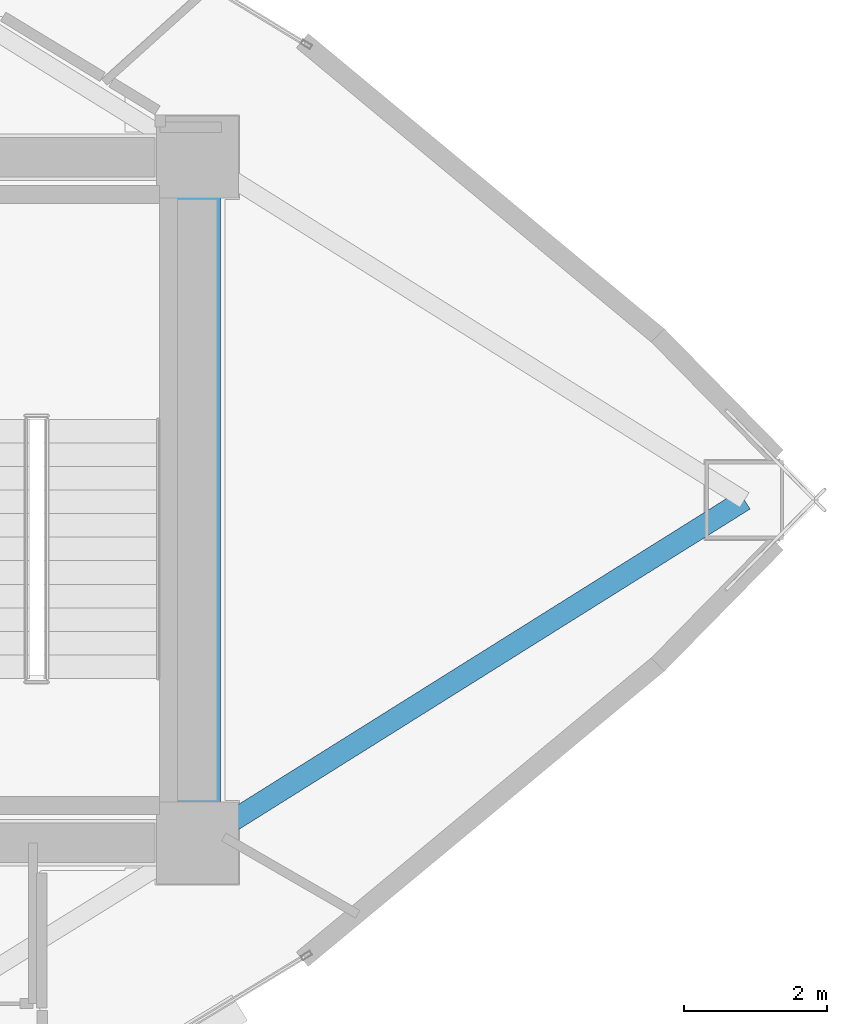
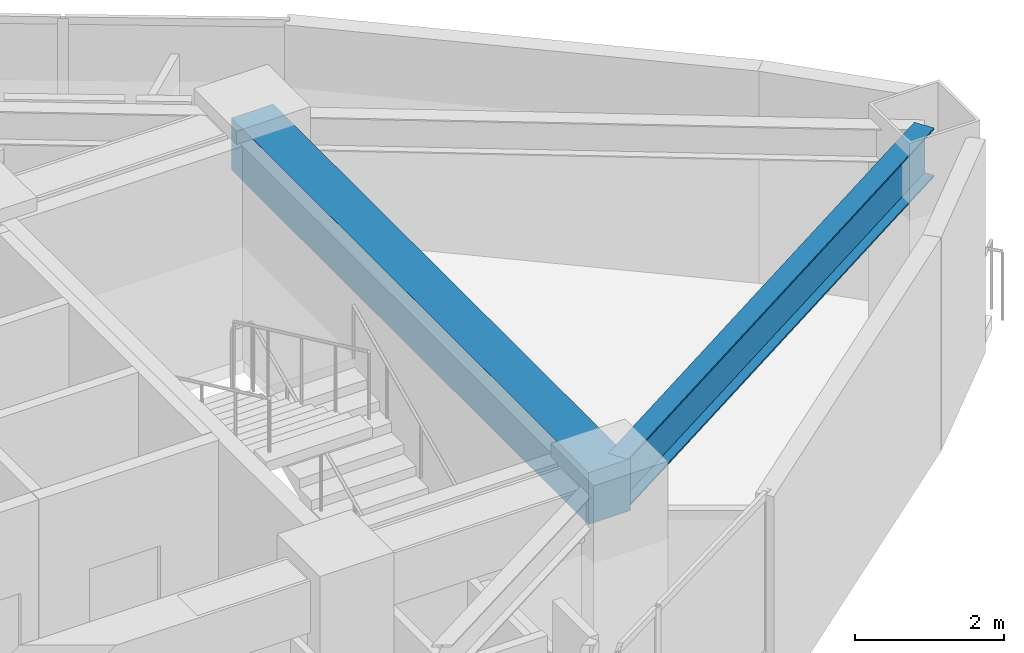
# One storey, part 6 of 15: 2 beams.
"""IFC4 building model written with IfcOpenShell, lengths in metres."""

from ifc_helpers import new_model, si_unit, direction, frame, origin, origin_2d, place, context, subcontext, project, spatial, rectangle, i_section, extrude, material, material_profile, profile_set, type_object, element, save


model = new_model("IFC4")

# Units and contexts
model_context = context("Model", 3, precision=1e-05, world=origin(), true_north=direction((0.0, 1.0)))
body_context = subcontext(model_context, "Body", "Model", "MODEL_VIEW")
ifc_project = project(units=[si_unit("LENGTHUNIT", "METRE"), si_unit("AREAUNIT", "SQUARE_METRE"), si_unit("VOLUMEUNIT", "CUBIC_METRE"), si_unit("PLANEANGLEUNIT", "RADIAN"), si_unit("MASSUNIT", "GRAM", prefix="KILO")], contexts=[model_context])

# Site, building, storey
site_placement = place(None, origin())
site = spatial("IfcSite", under=ifc_project, at=site_placement, CompositionType="ELEMENT")
building_placement = place(site_placement, origin())
building = spatial("IfcBuilding", under=site, at=building_placement, Name="Menara Vayukalpa", CompositionType="ELEMENT")
storey_placement = place(building_placement, frame((0.0, 0.0, 141.179931640625)))
storey = spatial("IfcBuildingStorey", under=building, at=storey_placement, Name="L35", CompositionType="ELEMENT", Elevation=141.179931640625)

# Beams
ifc_material_1 = material(Name="Concrete C60/75", Category="concrete")
ifc_material_profile_1 = material_profile(ifc_material_1, rectangle(XDim=0.64990234375, YDim=0.85009765625, at=origin_2d()), Name="RC 650x850")
ifc_profile_set_1 = profile_set([ifc_material_profile_1], Name="Concrete C60/75")
beam_type_1 = type_object("IfcBeamType", Name="BM-CB1", PredefinedType="BEAM", material=ifc_profile_set_1)
beam_1_placement = place(storey_placement, frame((33.39990234375, 17.199951171875, 3.074951171875), z_axis=(0.0, 1.0, 0.0), x_axis=(-1.0, 0.0, 0.0)))
element("IfcBeam", 1, at=beam_1_placement, inside=storey, type_object=beam_type_1, Name="L35 Core Tie Beam CBR8", PredefinedType="BEAM", context=body_context, shape_type="SweptSolid", body=[
    extrude(rectangle(XDim=0.64990234375, YDim=0.85009765625, at=origin_2d()), origin(), (0.0, 0.0, 1.0), 9.60009765625),
])
ifc_material_2 = material(Name="Steel S355", Category="steel")
ifc_material_profile_2 = material_profile(ifc_material_2, i_section(OverallWidth=0.300048828125, OverallDepth=0.800048828125, WebThickness=0.013916015625, FlangeThickness=0.02587890625, at=origin_2d()), Name="WF 800x300x14x26")
ifc_profile_set_2 = profile_set([ifc_material_profile_2], Name="Steel S355")
beam_type_2 = type_object("IfcBeamType", Name="BM-PG3", PredefinedType="BEAM", material=ifc_profile_set_2)
beam_2_placement = place(storey_placement, frame((33.61181640625, 17.332763671875, 3.10009765625), z_axis=(0.847348467727, 0.531037262573, 0.0), x_axis=(-0.531037262573, 0.847348467727, 0.0)))
element("IfcBeam", 2, at=beam_2_placement, inside=storey, type_object=beam_type_2, Name="L35 Primary Radial Girder RG01", PredefinedType="BEAM", context=body_context, shape_type="SweptSolid", body=[
    extrude(i_section(OverallWidth=0.300048828125, OverallDepth=0.800048828125, WebThickness=0.013916015625, FlangeThickness=0.02587890625, at=origin_2d()), origin(), (0.0, 0.0, 1.0), 8.788818359375),
])

save(model, "model.ifc")
